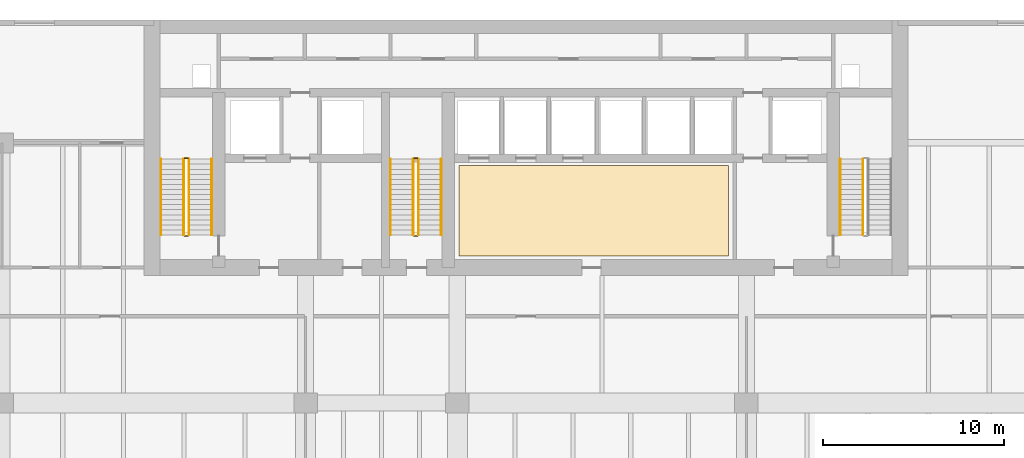
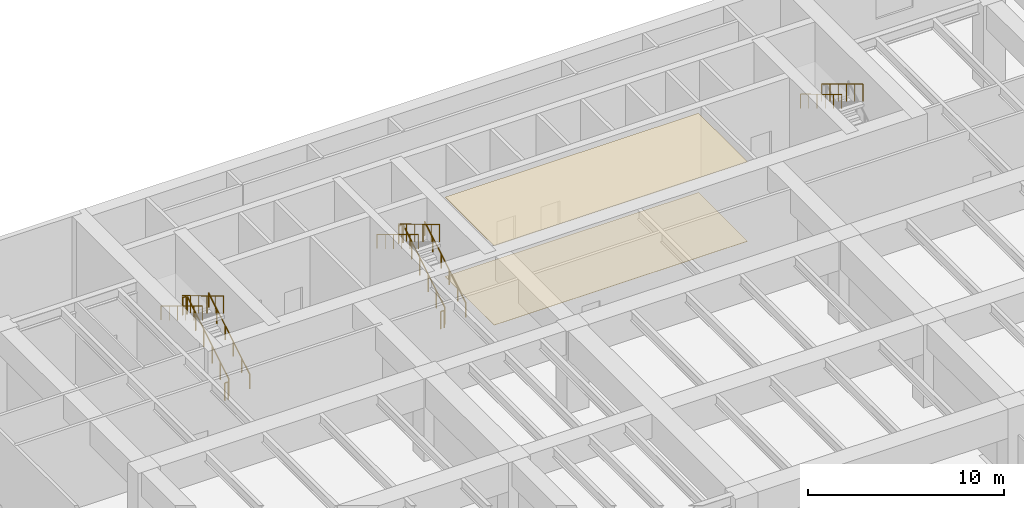
# One storey, part 11 of 12: 14 railings, 2 coverings.
"""IFC4 building model written with IfcOpenShell, lengths in metres."""

from ifc_helpers import new_model, si_unit, direction, frame, origin, origin_2d, place, context, subcontext, project, spatial, polyline, circle, outline, extrude, material, layer, layer_set, type_object, element, save


model = new_model("IFC4")

# Units and contexts
model_context = context("Model", 3, precision=1e-05, world=origin(), true_north=direction((0.0, 1.0)))
body_context = subcontext(model_context, "Body", "Model", "MODEL_VIEW")
ifc_project = project(units=[si_unit("LENGTHUNIT", "METRE"), si_unit("AREAUNIT", "SQUARE_METRE"), si_unit("VOLUMEUNIT", "CUBIC_METRE"), si_unit("PLANEANGLEUNIT", "RADIAN"), si_unit("MASSUNIT", "GRAM", prefix="KILO")], contexts=[model_context])

# Site, building, storey
site_placement = place(None, origin())
site = spatial("IfcSite", under=ifc_project, at=site_placement, CompositionType="ELEMENT")
building_placement = place(site_placement, origin())
building = spatial("IfcBuilding", under=site, at=building_placement, Name="Caelmar Bay Residences", CompositionType="ELEMENT")
storey_placement = place(building_placement, frame((0.0, 0.0, 24.60009765625)))
storey = spatial("IfcBuildingStorey", under=building, at=storey_placement, Name="L05", CompositionType="ELEMENT", Elevation=24.60009765625)

# Coverings
ifc_material_1 = material(Name="Perforated acoustic gypsum-mineral ceiling tile 20 mm")
ifc_layer_1 = layer(ifc_material_1, 0.02001953125)
ifc_layer_set_1 = layer_set([ifc_layer_1], Name="Perforated acoustic gypsum-mineral ceiling tile 20 mm")
covering_type_1 = type_object("IfcCoveringType", Name="COV-CEIL-20", PredefinedType="CEILING", material=ifc_layer_set_1)
covering_1_placement = place(storey_placement, frame((0.0, 0.0, 4.929931640625)))
element("IfcCovering", 1, at=covering_1_placement, inside=storey, type_object=covering_type_1, Name="L05 Lift Lobby Acoustic Ceiling", PredefinedType="CEILING", context=body_context, shape_type="SweptSolid", body=[
    extrude(outline(polyline([(35.199951171875, 37.550048828125), (50.10009765625, 37.550048828125), (50.10009765625, 42.550048828125), (35.199951171875, 42.550048828125), (35.199951171875, 37.550048828125)])), origin(), (0.0, 0.0, 1.0), 0.02001953125),
])
ifc_material_2 = material(Name="Honed terrazzo and engineered white-oak flooring 20 mm")
ifc_layer_2 = layer(ifc_material_2, 0.02001953125)
ifc_layer_set_2 = layer_set([ifc_layer_2], Name="Honed terrazzo and engineered white-oak flooring 20 mm")
covering_type_2 = type_object("IfcCoveringType", Name="COV-FLR-20", PredefinedType="FLOORING", material=ifc_layer_set_2)
covering_2_placement = place(storey_placement, origin())
element("IfcCovering", 2, at=covering_2_placement, inside=storey, type_object=covering_type_2, Name="L05 Lift Lobby Terrazzo Flooring", PredefinedType="FLOORING", context=body_context, shape_type="SweptSolid", body=[
    extrude(outline(polyline([(35.199951171875, 37.550048828125), (50.10009765625, 37.550048828125), (50.10009765625, 42.550048828125), (35.199951171875, 42.550048828125), (35.199951171875, 37.550048828125)])), origin(), (0.0, 0.0, 1.0), 0.02001953125),
])

# Railings
ifc_material_3 = material(Name="Painted galvanized steel stair guard 1100 mm", Category="steel")
railing_type_1 = type_object("IfcRailingType", Name="RL-GRD-1100", PredefinedType="GUARDRAIL", material=ifc_material_3)
railing_1_placement = place(storey_placement, frame((20.25, 38.699951171875, 0.168701171875)))
element("IfcRailing", 3, at=railing_1_placement, inside=storey, type_object=railing_type_1, Name="L05 ST1 stair guard 1", PredefinedType="GUARDRAIL", context=body_context, shape_type="SweptSolid", body=[
    extrude(circle(Radius=0.02392578125, at=origin_2d()), frame((0.0, 0.0, 1.076171875), z_axis=(0.0, 0.856476492594, 0.516186030065), x_axis=(-1.0, 0.0, 0.0)), (0.0, 0.0, 1.0), 4.90380859375),
    extrude(circle(Radius=0.02099609375, at=origin_2d()), origin(), (0.0, 0.0, 1.0), 1.052001953125),
    extrude(circle(Radius=0.02099609375, at=origin_2d()), frame((0.0, 0.840087890625, 0.50634765625)), (0.0, 0.0, 1.0), 1.052001953125),
    extrude(circle(Radius=0.02099609375, at=origin_2d()), frame((0.0, 1.679931640625, 1.012451171875)), (0.0, 0.0, 1.0), 1.052001953125),
    extrude(circle(Radius=0.02099609375, at=origin_2d()), frame((0.0, 2.52001953125, 1.518798828125)), (0.0, 0.0, 1.0), 1.052001953125),
    extrude(circle(Radius=0.02099609375, at=origin_2d()), frame((0.0, 3.35986328125, 2.02490234375)), (0.0, 0.0, 1.0), 1.052001953125),
    extrude(circle(Radius=0.02099609375, at=origin_2d()), frame((0.0, 4.199951171875, 2.53125)), (0.0, 0.0, 1.0), 1.052001953125),
])
railing_2_placement = place(storey_placement, frame((20.199951171875, 42.949951171875, 2.699951171875)))
element("IfcRailing", 4, at=railing_2_placement, inside=storey, type_object=railing_type_1, Name="L05 ST1 stair guard 2", PredefinedType="GUARDRAIL", context=body_context, shape_type="SweptSolid", body=[
    extrude(circle(Radius=0.02392578125, at=origin_2d()), frame((0.0, 0.0, 1.076171875), z_axis=(-1.0, 0.0, 0.0), x_axis=(0.0, -1.0, 0.0)), (0.0, 0.0, 1.0), 0.199951171875),
    extrude(circle(Radius=0.02099609375, at=origin_2d()), origin(), (0.0, 0.0, 1.0), 1.052001953125),
    extrude(circle(Radius=0.02099609375, at=origin_2d()), frame((-0.199951171875, 0.0, 0.0)), (0.0, 0.0, 1.0), 1.052001953125),
])
railing_3_placement = place(storey_placement, frame((19.949951171875, 42.89990234375, 2.86865234375)))
element("IfcRailing", 5, at=railing_3_placement, inside=storey, type_object=railing_type_1, Name="L05 ST1 stair guard 3", PredefinedType="GUARDRAIL", context=body_context, shape_type="SweptSolid", body=[
    extrude(circle(Radius=0.02392578125, at=origin_2d()), frame((0.0, 0.0, 1.076171875), z_axis=(0.0, -0.856476492594, 0.516186030065), x_axis=(1.0, 0.0, 0.0)), (0.0, 0.0, 1.0), 4.90380859375),
    extrude(circle(Radius=0.02099609375, at=origin_2d()), origin(), (0.0, 0.0, 1.0), 1.052001953125),
    extrude(circle(Radius=0.02099609375, at=origin_2d()), frame((0.0, -0.840087890625, 0.50634765625)), (0.0, 0.0, 1.0), 1.052001953125),
    extrude(circle(Radius=0.02099609375, at=origin_2d()), frame((0.0, -1.679931640625, 1.012451171875)), (0.0, 0.0, 1.0), 1.052001953125),
    extrude(circle(Radius=0.02099609375, at=origin_2d()), frame((0.0, -2.52001953125, 1.518798828125)), (0.0, 0.0, 1.0), 1.052001953125),
    extrude(circle(Radius=0.02099609375, at=origin_2d()), frame((0.0, -3.35986328125, 2.02490234375)), (0.0, 0.0, 1.0), 1.052001953125),
    extrude(circle(Radius=0.02099609375, at=origin_2d()), frame((0.0, -4.199951171875, 2.53125)), (0.0, 0.0, 1.0), 1.052001953125),
])
railing_4_placement = place(storey_placement, frame((20.199951171875, 38.64990234375, 0.0)))
element("IfcRailing", 6, at=railing_4_placement, inside=storey, type_object=railing_type_1, Name="L05 ST1 stair guard 4", PredefinedType="GUARDRAIL", context=body_context, shape_type="SweptSolid", body=[
    extrude(circle(Radius=0.02392578125, at=origin_2d()), frame((0.0, 0.0, 1.076171875), z_axis=(-1.0, 0.0, 0.0), x_axis=(0.0, -1.0, 0.0)), (0.0, 0.0, 1.0), 0.199951171875),
    extrude(circle(Radius=0.02099609375, at=origin_2d()), origin(), (0.0, 0.0, 1.0), 1.052001953125),
    extrude(circle(Radius=0.02099609375, at=origin_2d()), frame((-0.199951171875, 0.0, 0.0)), (0.0, 0.0, 1.0), 1.052001953125),
])
railing_5_placement = place(storey_placement, frame((57.550048828125, 42.89990234375, 2.86865234375)))
element("IfcRailing", 7, at=railing_5_placement, inside=storey, type_object=railing_type_1, Name="L05 ST2 stair guard 3", PredefinedType="GUARDRAIL", context=body_context, shape_type="SweptSolid", body=[
    extrude(circle(Radius=0.02392578125, at=origin_2d()), frame((0.0, 0.0, 1.076171875), z_axis=(0.0, -0.856476492594, 0.516186030065), x_axis=(1.0, 0.0, 0.0)), (0.0, 0.0, 1.0), 4.90380859375),
    extrude(circle(Radius=0.02099609375, at=origin_2d()), origin(), (0.0, 0.0, 1.0), 1.052001953125),
    extrude(circle(Radius=0.02099609375, at=origin_2d()), frame((0.0, -0.840087890625, 0.50634765625)), (0.0, 0.0, 1.0), 1.052001953125),
    extrude(circle(Radius=0.02099609375, at=origin_2d()), frame((0.0, -1.679931640625, 1.012451171875)), (0.0, 0.0, 1.0), 1.052001953125),
    extrude(circle(Radius=0.02099609375, at=origin_2d()), frame((0.0, -2.52001953125, 1.518798828125)), (0.0, 0.0, 1.0), 1.052001953125),
    extrude(circle(Radius=0.02099609375, at=origin_2d()), frame((0.0, -3.35986328125, 2.02490234375)), (0.0, 0.0, 1.0), 1.052001953125),
    extrude(circle(Radius=0.02099609375, at=origin_2d()), frame((0.0, -4.199951171875, 2.53125)), (0.0, 0.0, 1.0), 1.052001953125),
])
railing_6_placement = place(storey_placement, frame((32.949951171875, 38.699951171875, 0.168701171875)))
element("IfcRailing", 8, at=railing_6_placement, inside=storey, type_object=railing_type_1, Name="L05 ST3 stair guard 1", PredefinedType="GUARDRAIL", context=body_context, shape_type="SweptSolid", body=[
    extrude(circle(Radius=0.02392578125, at=origin_2d()), frame((0.0, 0.0, 1.076171875), z_axis=(0.0, 0.856476492594, 0.516186030065), x_axis=(-1.0, 0.0, 0.0)), (0.0, 0.0, 1.0), 4.90380859375),
    extrude(circle(Radius=0.02099609375, at=origin_2d()), origin(), (0.0, 0.0, 1.0), 1.052001953125),
    extrude(circle(Radius=0.02099609375, at=origin_2d()), frame((0.0, 0.840087890625, 0.50634765625)), (0.0, 0.0, 1.0), 1.052001953125),
    extrude(circle(Radius=0.02099609375, at=origin_2d()), frame((0.0, 1.679931640625, 1.012451171875)), (0.0, 0.0, 1.0), 1.052001953125),
    extrude(circle(Radius=0.02099609375, at=origin_2d()), frame((0.0, 2.52001953125, 1.518798828125)), (0.0, 0.0, 1.0), 1.052001953125),
    extrude(circle(Radius=0.02099609375, at=origin_2d()), frame((0.0, 3.35986328125, 2.02490234375)), (0.0, 0.0, 1.0), 1.052001953125),
    extrude(circle(Radius=0.02099609375, at=origin_2d()), frame((0.0, 4.199951171875, 2.53125)), (0.0, 0.0, 1.0), 1.052001953125),
])
railing_7_placement = place(storey_placement, frame((32.89990234375, 42.949951171875, 2.699951171875)))
element("IfcRailing", 9, at=railing_7_placement, inside=storey, type_object=railing_type_1, Name="L05 ST3 stair guard 2", PredefinedType="GUARDRAIL", context=body_context, shape_type="SweptSolid", body=[
    extrude(circle(Radius=0.02392578125, at=origin_2d()), frame((0.0, 0.0, 1.076171875), z_axis=(-1.0, 0.0, 0.0), x_axis=(0.0, -1.0, 0.0)), (0.0, 0.0, 1.0), 0.199951171875),
    extrude(circle(Radius=0.02099609375, at=origin_2d()), origin(), (0.0, 0.0, 1.0), 1.052001953125),
    extrude(circle(Radius=0.02099609375, at=origin_2d()), frame((-0.199951171875, 0.0, 0.0)), (0.0, 0.0, 1.0), 1.052001953125),
])
railing_8_placement = place(storey_placement, frame((32.64990234375, 42.89990234375, 2.86865234375)))
element("IfcRailing", 10, at=railing_8_placement, inside=storey, type_object=railing_type_1, Name="L05 ST3 stair guard 3", PredefinedType="GUARDRAIL", context=body_context, shape_type="SweptSolid", body=[
    extrude(circle(Radius=0.02392578125, at=origin_2d()), frame((0.0, 0.0, 1.076171875), z_axis=(0.0, -0.856476492594, 0.516186030065), x_axis=(1.0, 0.0, 0.0)), (0.0, 0.0, 1.0), 4.90380859375),
    extrude(circle(Radius=0.02099609375, at=origin_2d()), origin(), (0.0, 0.0, 1.0), 1.052001953125),
    extrude(circle(Radius=0.02099609375, at=origin_2d()), frame((0.0, -0.840087890625, 0.50634765625)), (0.0, 0.0, 1.0), 1.052001953125),
    extrude(circle(Radius=0.02099609375, at=origin_2d()), frame((0.0, -1.679931640625, 1.012451171875)), (0.0, 0.0, 1.0), 1.052001953125),
    extrude(circle(Radius=0.02099609375, at=origin_2d()), frame((0.0, -2.52001953125, 1.518798828125)), (0.0, 0.0, 1.0), 1.052001953125),
    extrude(circle(Radius=0.02099609375, at=origin_2d()), frame((0.0, -3.35986328125, 2.02490234375)), (0.0, 0.0, 1.0), 1.052001953125),
    extrude(circle(Radius=0.02099609375, at=origin_2d()), frame((0.0, -4.199951171875, 2.53125)), (0.0, 0.0, 1.0), 1.052001953125),
])
railing_9_placement = place(storey_placement, frame((32.89990234375, 38.64990234375, 0.0)))
element("IfcRailing", 11, at=railing_9_placement, inside=storey, type_object=railing_type_1, Name="L05 ST3 stair guard 4", PredefinedType="GUARDRAIL", context=body_context, shape_type="SweptSolid", body=[
    extrude(circle(Radius=0.02392578125, at=origin_2d()), frame((0.0, 0.0, 1.076171875), z_axis=(-1.0, 0.0, 0.0), x_axis=(0.0, -1.0, 0.0)), (0.0, 0.0, 1.0), 0.199951171875),
    extrude(circle(Radius=0.02099609375, at=origin_2d()), origin(), (0.0, 0.0, 1.0), 1.052001953125),
    extrude(circle(Radius=0.02099609375, at=origin_2d()), frame((-0.199951171875, 0.0, 0.0)), (0.0, 0.0, 1.0), 1.052001953125),
])
ifc_material_4 = material(Name="Brushed bronze stainless-steel tubular handrail 900 mm", Category="steel")
railing_type_2 = type_object("IfcRailingType", Name="RL-HND-900", PredefinedType="HANDRAIL", material=ifc_material_4)
railing_10_placement = place(storey_placement, frame((21.5, 38.699951171875, 0.168701171875)))
element("IfcRailing", 12, at=railing_10_placement, inside=storey, type_object=railing_type_2, Name="L05 ST1 stair handrail 1", PredefinedType="HANDRAIL", context=body_context, shape_type="SweptSolid", body=[
    extrude(circle(Radius=0.02392578125, at=origin_2d()), frame((0.0, 0.0, 0.8759765625), z_axis=(0.0, 0.856476492594, 0.516186030065), x_axis=(-1.0, 0.0, 0.0)), (0.0, 0.0, 1.0), 4.90380859375),
    extrude(circle(Radius=0.02099609375, at=origin_2d()), origin(), (0.0, 0.0, 1.0), 0.851806640625),
    extrude(circle(Radius=0.02099609375, at=origin_2d()), frame((0.0, 0.840087890625, 0.50634765625)), (0.0, 0.0, 1.0), 0.851806640625),
    extrude(circle(Radius=0.02099609375, at=origin_2d()), frame((0.0, 1.679931640625, 1.012451171875)), (0.0, 0.0, 1.0), 0.851806640625),
    extrude(circle(Radius=0.02099609375, at=origin_2d()), frame((0.0, 2.52001953125, 1.518798828125)), (0.0, 0.0, 1.0), 0.851806640625),
    extrude(circle(Radius=0.02099609375, at=origin_2d()), frame((0.0, 3.35986328125, 2.02490234375)), (0.0, 0.0, 1.0), 0.851806640625),
    extrude(circle(Radius=0.02099609375, at=origin_2d()), frame((0.0, 4.199951171875, 2.53125)), (0.0, 0.0, 1.0), 0.851806640625),
])
for number, where, name in (
    (13, (18.699951171875, 42.89990234375, 2.86865234375), "L05 ST1 stair handrail 2"),
    (14, (56.300048828125, 42.89990234375, 2.86865234375), "L05 ST2 stair handrail 2"),
):
    element("IfcRailing", number, at=place(storey_placement, frame(where)), inside=storey, type_object=railing_type_2, Name=name, PredefinedType="HANDRAIL", context=body_context, shape_type="SweptSolid", body=[
        extrude(circle(Radius=0.02392578125, at=origin_2d()), frame((0.0, 0.0, 0.8759765625), z_axis=(0.0, -0.856476492594, 0.516186030065), x_axis=(1.0, 0.0, 0.0)), (0.0, 0.0, 1.0), 4.90380859375),
        extrude(circle(Radius=0.02099609375, at=origin_2d()), origin(), (0.0, 0.0, 1.0), 0.851806640625),
        extrude(circle(Radius=0.02099609375, at=origin_2d()), frame((0.0, -0.840087890625, 0.50634765625)), (0.0, 0.0, 1.0), 0.851806640625),
        extrude(circle(Radius=0.02099609375, at=origin_2d()), frame((0.0, -1.679931640625, 1.012451171875)), (0.0, 0.0, 1.0), 0.851806640625),
        extrude(circle(Radius=0.02099609375, at=origin_2d()), frame((0.0, -2.52001953125, 1.518798828125)), (0.0, 0.0, 1.0), 0.851806640625),
        extrude(circle(Radius=0.02099609375, at=origin_2d()), frame((0.0, -3.35986328125, 2.02490234375)), (0.0, 0.0, 1.0), 0.851806640625),
        extrude(circle(Radius=0.02099609375, at=origin_2d()), frame((0.0, -4.199951171875, 2.53125)), (0.0, 0.0, 1.0), 0.851806640625),
    ])
railing_11_placement = place(storey_placement, frame((34.199951171875, 38.699951171875, 0.168701171875)))
element("IfcRailing", 15, at=railing_11_placement, inside=storey, type_object=railing_type_2, Name="L05 ST3 stair handrail 1", PredefinedType="HANDRAIL", context=body_context, shape_type="SweptSolid", body=[
    extrude(circle(Radius=0.02392578125, at=origin_2d()), frame((0.0, 0.0, 0.8759765625), z_axis=(0.0, 0.856476492594, 0.516186030065), x_axis=(-1.0, 0.0, 0.0)), (0.0, 0.0, 1.0), 4.90380859375),
    extrude(circle(Radius=0.02099609375, at=origin_2d()), origin(), (0.0, 0.0, 1.0), 0.851806640625),
    extrude(circle(Radius=0.02099609375, at=origin_2d()), frame((0.0, 0.840087890625, 0.50634765625)), (0.0, 0.0, 1.0), 0.851806640625),
    extrude(circle(Radius=0.02099609375, at=origin_2d()), frame((0.0, 1.679931640625, 1.012451171875)), (0.0, 0.0, 1.0), 0.851806640625),
    extrude(circle(Radius=0.02099609375, at=origin_2d()), frame((0.0, 2.52001953125, 1.518798828125)), (0.0, 0.0, 1.0), 0.851806640625),
    extrude(circle(Radius=0.02099609375, at=origin_2d()), frame((0.0, 3.35986328125, 2.02490234375)), (0.0, 0.0, 1.0), 0.851806640625),
    extrude(circle(Radius=0.02099609375, at=origin_2d()), frame((0.0, 4.199951171875, 2.53125)), (0.0, 0.0, 1.0), 0.851806640625),
])
railing_12_placement = place(storey_placement, frame((31.39990234375, 42.89990234375, 2.86865234375)))
element("IfcRailing", 16, at=railing_12_placement, inside=storey, type_object=railing_type_2, Name="L05 ST3 stair handrail 2", PredefinedType="HANDRAIL", context=body_context, shape_type="SweptSolid", body=[
    extrude(circle(Radius=0.02392578125, at=origin_2d()), frame((0.0, 0.0, 0.8759765625), z_axis=(0.0, -0.856476492594, 0.516186030065), x_axis=(1.0, 0.0, 0.0)), (0.0, 0.0, 1.0), 4.90380859375),
    extrude(circle(Radius=0.02099609375, at=origin_2d()), origin(), (0.0, 0.0, 1.0), 0.851806640625),
    extrude(circle(Radius=0.02099609375, at=origin_2d()), frame((0.0, -0.840087890625, 0.50634765625)), (0.0, 0.0, 1.0), 0.851806640625),
    extrude(circle(Radius=0.02099609375, at=origin_2d()), frame((0.0, -1.679931640625, 1.012451171875)), (0.0, 0.0, 1.0), 0.851806640625),
    extrude(circle(Radius=0.02099609375, at=origin_2d()), frame((0.0, -2.52001953125, 1.518798828125)), (0.0, 0.0, 1.0), 0.851806640625),
    extrude(circle(Radius=0.02099609375, at=origin_2d()), frame((0.0, -3.35986328125, 2.02490234375)), (0.0, 0.0, 1.0), 0.851806640625),
    extrude(circle(Radius=0.02099609375, at=origin_2d()), frame((0.0, -4.199951171875, 2.53125)), (0.0, 0.0, 1.0), 0.851806640625),
])

save(model, "model.ifc")
